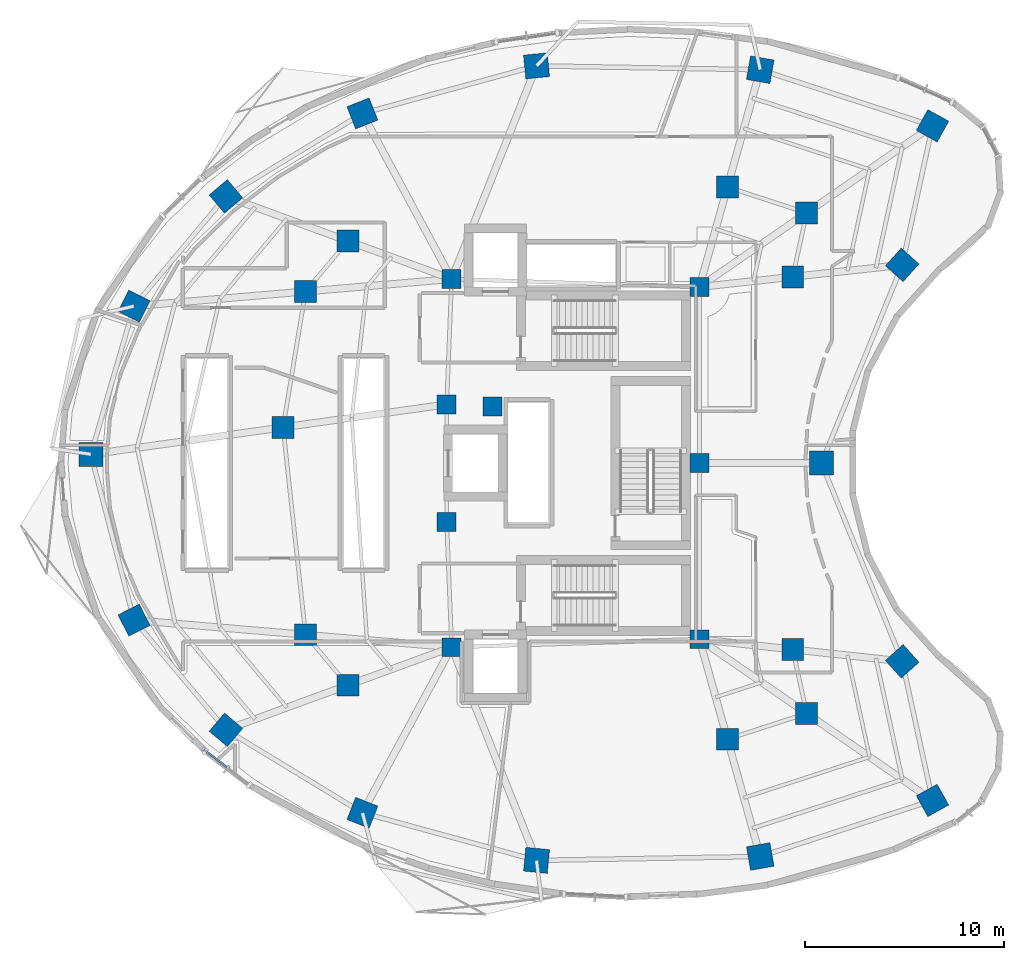
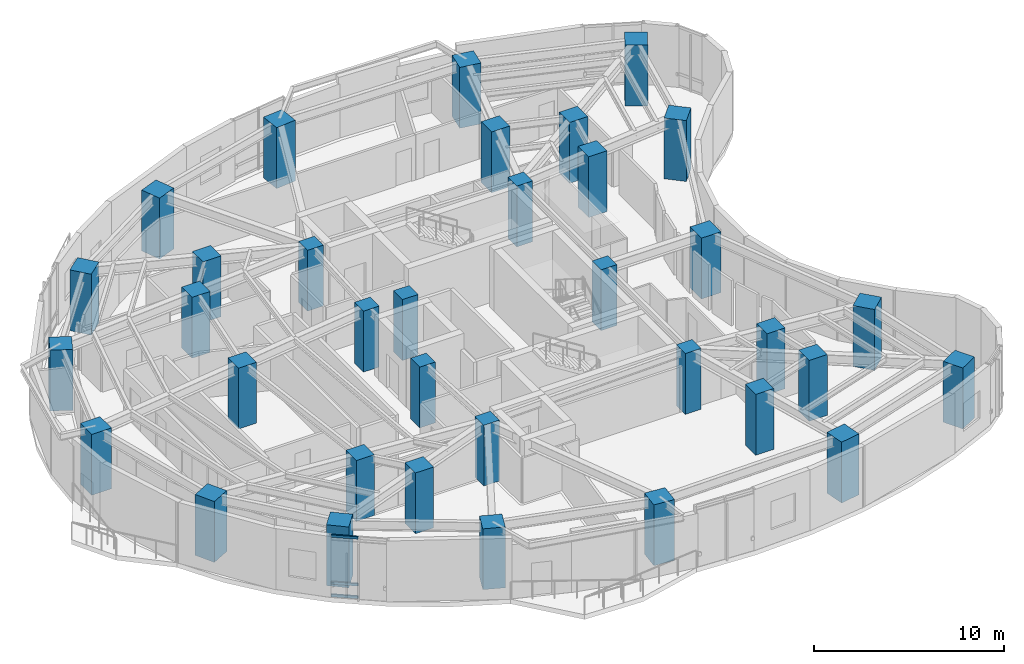
# One storey, part 1 of 13: 35 columns, 3 members, 1 element without a shape of its own.
"""IFC4 building model written with IfcOpenShell, lengths in metres."""

from ifc_helpers import new_model, si_unit, direction, frame, origin, origin_2d, place, context, subcontext, project, spatial, rectangle, extrude, material, layer, layer_set, material_profile, profile_set, type_object, element, aggregate, save


model = new_model("IFC4")

# Units and contexts
model_context = context("Model", 3, precision=1e-05, world=origin(), true_north=direction((0.0, 1.0)))
body_context = subcontext(model_context, "Body", "Model", "MODEL_VIEW")
ifc_project = project(units=[si_unit("LENGTHUNIT", "METRE"), si_unit("AREAUNIT", "SQUARE_METRE"), si_unit("VOLUMEUNIT", "CUBIC_METRE"), si_unit("PLANEANGLEUNIT", "RADIAN"), si_unit("MASSUNIT", "GRAM", prefix="KILO")], contexts=[model_context])

# Site, building, storey
site_placement = place(None, origin())
site = spatial("IfcSite", under=ifc_project, at=site_placement, CompositionType="ELEMENT")
building_placement = place(site_placement, origin())
building = spatial("IfcBuilding", under=site, at=building_placement, Name="Korentha Bioscience Tower", CompositionType="ELEMENT")
storey_placement = place(building_placement, frame((0.0, 0.0, 123.60009765625)))
storey = spatial("IfcBuildingStorey", under=building, at=storey_placement, Name="L28", CompositionType="ELEMENT", Elevation=123.60009765625)

# Columns
ifc_material_1 = material(Name="Concrete C65", Category="concrete")
ifc_material_profile_1 = material_profile(ifc_material_1, rectangle(XDim=0.949951171875, YDim=0.949951171875, at=origin_2d()), Name="Concrete C65")
ifc_profile_set_1 = profile_set([ifc_material_profile_1], Name="Concrete C65 (COL-CP09)")
column_type_1 = type_object("IfcColumnType", Name="Core Pilaster Column RC 950x950", PredefinedType="PILASTER", material=ifc_profile_set_1)
for number, where, z_axis, x_axis, name in (
    (1, (37.550048828125, 35.85009765625, -0.00048828125), (0.0, 0.0, 1.0), (1.0, 0.0, 0.0), "L28 Core Pilaster CP-01"),
    (2, (25.10009765625, 36.25, -0.00048828125), (0.0, 0.0, 1.0), (1.0, 0.0, 0.0), "L28 Core Pilaster CP-02"),
    (3, (24.85009765625, 29.949951171875, -0.00048828125), (0.0, 0.0, 1.0), (1.0, 0.0, 0.0), "L28 Core Pilaster CP-03"),
    (4, (27.14990234375, 29.85009765625, -0.00048828125), (0.0, 0.0, 1.0), (1.0, 0.0, 0.0), "L28 Core Pilaster CP-04"),
    (5, (24.85009765625, 24.050048828125, -0.00048828125), (0.0, 0.0, 1.0), (1.0, 0.0, 0.0), "L28 Core Pilaster CP-05"),
    (6, (25.10009765625, 17.75, -0.00048828125), (0.0, 0.0, 1.0), (1.0, 0.0, 0.0), "L28 Core Pilaster CP-06"),
    (7, (37.550048828125, 18.14990234375, -0.00048828125), (0.0, 0.0, 1.0), (1.0, 0.0, 0.0), "L28 Core Pilaster CP-07"),
    (8, (37.550048828125, 27.0, -0.00048828125), (0.0, 0.0, 1.0), (1.0, 0.0, 0.0), "L28 Core Pilaster CP-08"),
):
    element("IfcColumn", number, at=place(storey_placement, frame(where, z_axis=z_axis, x_axis=x_axis)), inside=storey, type_object=column_type_1, Name=name, PredefinedType="PILASTER", context=body_context, shape_type="SweptSolid", body=[
        extrude(rectangle(XDim=0.949951171875, YDim=0.949951171875, at=origin_2d()), origin(), (0.0, 0.0, 1.0), 3.90087890625),
    ])
ifc_material_2 = material(Name="Concrete C80", Category="concrete")
ifc_material_profile_2 = material_profile(ifc_material_2, rectangle(XDim=1.10009765625, YDim=1.10009765625, at=origin_2d()), Name="Concrete C80")
ifc_profile_set_2 = profile_set([ifc_material_profile_2], Name="Concrete C80 (COL-MR11)")
column_type_2 = type_object("IfcColumnType", Name="Mid-Ring Lab Column RC 1100x1100", PredefinedType="COLUMN", material=ifc_profile_set_2)
for number, where, z_axis, x_axis, name in (
    (9, (42.93603515625, 39.57470703125, -0.00048828125), (0.0, 0.0, 1.0), (1.0, 0.0, 0.0), "L28 Mid-Ring Column 01"),
    (10, (38.954833984375, 40.870849609375, -0.00048828125), (0.0, 0.0, 1.0), (1.0, 0.0, 0.0), "L28 Mid-Ring Column 02"),
    (11, (19.882568359375, 38.158935546875, -0.00048828125), (0.0, 0.0, 1.0), (1.0, 0.0, 0.0), "L28 Mid-Ring Column 05"),
    (12, (17.75927734375, 35.6240234375, -0.00048828125), (0.0, 0.0, 1.0), (1.0, 0.0, 0.0), "L28 Mid-Ring Column 06"),
    (13, (16.627197265625, 28.796630859375, -0.00048828125), (0.0, 0.0, 1.0), (1.0, 0.0, 0.0), "L28 Mid-Ring Column 07"),
    (14, (17.75927734375, 18.3759765625, -0.00048828125), (0.0, 0.0, 1.0), (1.0, 0.0, 0.0), "L28 Mid-Ring Column 08"),
    (15, (19.882568359375, 15.841064453125, -0.00048828125), (0.0, 0.0, 1.0), (1.0, 0.0, 0.0), "L28 Mid-Ring Column 09"),
    (16, (38.954833984375, 13.129150390625, -0.00048828125), (0.0, 0.0, 1.0), (1.0, 0.0, 0.0), "L28 Mid-Ring Column 12"),
    (17, (42.93603515625, 14.42529296875, -0.00048828125), (0.0, 0.0, 1.0), (1.0, 0.0, 0.0), "L28 Mid-Ring Column 13"),
    (18, (42.235595703125, 17.639404296875, -0.00048828125), (0.0, 0.0, 1.0), (1.0, 0.0, 0.0), "L28 Mid-Ring Column 14"),
    (19, (42.235595703125, 36.360595703125, -0.00048828125), (0.0, 0.0, 1.0), (1.0, 0.0, 0.0), "L28 Mid-Ring Column 16"),
):
    element("IfcColumn", number, at=place(storey_placement, frame(where, z_axis=z_axis, x_axis=x_axis)), inside=storey, type_object=column_type_2, Name=name, PredefinedType="COLUMN", context=body_context, shape_type="SweptSolid", body=[
        extrude(rectangle(XDim=1.10009765625, YDim=1.10009765625, at=origin_2d()), origin(), (0.0, 0.0, 1.0), 3.90087890625),
    ])
ifc_material_profile_3 = material_profile(ifc_material_2, rectangle(XDim=1.199951171875, YDim=1.199951171875, at=origin_2d()), Name="Concrete C80")
ifc_profile_set_3 = profile_set([ifc_material_profile_3], Name="Concrete C80 (COL-P12)")
column_type_3 = type_object("IfcColumnType", Name="Perimeter Column RC 1200x1200", PredefinedType="COLUMN", material=ifc_profile_set_3)
for number, where, z_axis, x_axis, name in (
    (20, (49.2587890625, 43.947021484375, -0.00048828125), (0.0, 0.0, 1.0), (-0.874535078577, 0.484962262797, 0.0), "L28 Perimeter Column 01"),
    (21, (40.604248046875, 46.764892578125, -0.00048828125), (0.0, 0.0, 1.0), (-0.984868307662, 0.173304404339, 0.0), "L28 Perimeter Column 02"),
    (22, (29.3642578125, 46.959228515625, -0.00048828125), (0.0, 0.0, 1.0), (0.995462868748, 0.095150811579, 0.0), "L28 Perimeter Column 03"),
    (23, (20.614990234375, 44.5693359375, -0.00048828125), (0.0, 0.0, 1.0), (0.930225540858, 0.366988341962, 0.0), "L28 Perimeter Column 04"),
    (24, (13.7578125, 40.400146484375, -0.00048828125), (0.0, 0.0, 1.0), (0.764246456939, 0.644924300253, 0.0), "L28 Perimeter Column 05"),
    (25, (9.141845703125, 34.889404296875, -0.00048828125), (0.0, 0.0, 1.0), (0.453057191132, 0.891481453292, 0.0), "L28 Perimeter Column 06"),
    (26, (6.97412109375, 27.4423828125, -0.00048828125), (0.0, 0.0, 1.0), (0.0, 1.0, 0.0), "L28 Perimeter Column 07"),
    (27, (9.141845703125, 19.110595703125, -0.00048828125), (0.0, 0.0, 1.0), (-0.453057191132, 0.891481453292, 0.0), "L28 Perimeter Column 08"),
    (28, (13.7578125, 13.599853515625, -0.00048828125), (0.0, 0.0, 1.0), (-0.764246456939, 0.644924300253, 0.0), "L28 Perimeter Column 09"),
    (29, (20.614990234375, 9.4306640625, -0.00048828125), (0.0, 0.0, 1.0), (-0.930225540858, 0.366988341962, 0.0), "L28 Perimeter Column 10"),
    (30, (29.3642578125, 7.040771484375, -0.00048828125), (0.0, 0.0, 1.0), (-0.995462868748, 0.095150811579, 0.0), "L28 Perimeter Column 11"),
    (31, (40.604248046875, 7.235107421875, -0.00048828125), (0.0, 0.0, 1.0), (0.984868307662, 0.173304404339, 0.0), "L28 Perimeter Column 12"),
    (32, (49.2587890625, 10.052978515625, -0.00048828125), (0.0, 0.0, 1.0), (0.874535078577, 0.484962262797, 0.0), "L28 Perimeter Column 13"),
    (33, (47.736083984375, 17.040283203125, -0.00048828125), (0.0, 0.0, 1.0), (-0.669130606359, 0.743144825477, 0.0), "L28 Perimeter Column 14"),
    (34, (43.680908203125, 27.0, -0.00048828125), (0.0, 0.0, 1.0), (0.0, 1.0, 0.0), "L28 Perimeter Column 15"),
    (35, (47.736083984375, 36.959716796875, -0.00048828125), (0.0, 0.0, 1.0), (0.669130606359, 0.743144825477, 0.0), "L28 Perimeter Column 16"),
):
    element("IfcColumn", number, at=place(storey_placement, frame(where, z_axis=z_axis, x_axis=x_axis)), inside=storey, type_object=column_type_3, Name=name, PredefinedType="COLUMN", context=body_context, shape_type="SweptSolid", body=[
        extrude(rectangle(XDim=1.199951171875, YDim=1.199951171875, at=origin_2d()), origin(), (0.0, 0.0, 1.0), 3.90087890625),
    ])

# Curtain wall, members
ifc_material_3 = material(Name="Thermally Broken Aluminium Frame", Category="aluminium")
ifc_layer = layer(ifc_material_3, 0.219970703125, Name="Thermally Broken Aluminium Frame")
ifc_layer_set = layer_set([ifc_layer], Name="Thermally Broken Aluminium Frame (CW-T2)")
curtain_wall_type = type_object("IfcCurtainWallType", Name="Solar-Screened Lab Unitised Curtain Wall CW-T2", PredefinedType="USERDEFINED", material=ifc_layer_set)
curtain_wall_placement = place(storey_placement, origin())
curtain_wall = element("IfcCurtainWall", 36, at=curtain_wall_placement, inside=storey, type_object=curtain_wall_type, Name="L28 Curtain Wall 25", ObjectType="UNITISED", PredefinedType="USERDEFINED")
ifc_material_4 = material(Name="Anodised Aluminium 6063-T6", Category="aluminium")
ifc_material_profile_4 = material_profile(ifc_material_4, rectangle(XDim=0.090087890625, YDim=0.159912109375, at=origin_2d()), Name="Anodised Aluminium 6063-T6")
ifc_profile_set_4 = profile_set([ifc_material_profile_4], Name="Anodised Aluminium 6063-T6 (CW-TRN)")
member_type = type_object("IfcMemberType", Name="Transom RECT 90x160", PredefinedType="USERDEFINED", material=ifc_profile_set_4)
member_1_placement = place(storey_placement, frame((12.659912109375, 12.601318359375, 0.044921875), z_axis=(0.794559026989, -0.607186917374, 0.0), x_axis=(0.607186917374, 0.794559026989, 0.0)))
member_1 = element("IfcMember", 37, at=member_1_placement, type_object=member_type, Name="CW-L28-25 Bay 1 Transom 1", ObjectType="TRANSOM", PredefinedType="USERDEFINED", context=body_context, shape_type="SweptSolid", body=[
    extrude(rectangle(XDim=0.090087890625, YDim=0.159912109375, at=origin_2d()), origin(), (0.0, 0.0, 1.0), 1.4462890625),
])
member_2_placement = place(storey_placement, frame((12.659912109375, 12.601318359375, 0.849853515625), z_axis=(0.794559026989, -0.607186917374, 0.0), x_axis=(0.607186917374, 0.794559026989, 0.0)))
member_2 = element("IfcMember", 38, at=member_2_placement, type_object=member_type, Name="CW-L28-25 Bay 1 Transom 2", ObjectType="TRANSOM", PredefinedType="USERDEFINED", context=body_context, shape_type="SweptSolid", body=[
    extrude(rectangle(XDim=0.090087890625, YDim=0.159912109375, at=origin_2d()), origin(), (0.0, 0.0, 1.0), 1.4462890625),
])
member_3_placement = place(storey_placement, frame((12.659912109375, 12.601318359375, 3.85498046875), z_axis=(0.794559026989, -0.607186917374, 0.0), x_axis=(0.607186917374, 0.794559026989, 0.0)))
member_3 = element("IfcMember", 39, at=member_3_placement, type_object=member_type, Name="CW-L28-25 Bay 1 Transom 3", ObjectType="TRANSOM", PredefinedType="USERDEFINED", context=body_context, shape_type="SweptSolid", body=[
    extrude(rectangle(XDim=0.090087890625, YDim=0.159912109375, at=origin_2d()), origin(), (0.0, 0.0, 1.0), 1.4462890625),
])
aggregate(curtain_wall, [member_1, member_2, member_3])

save(model, "model.ifc")
